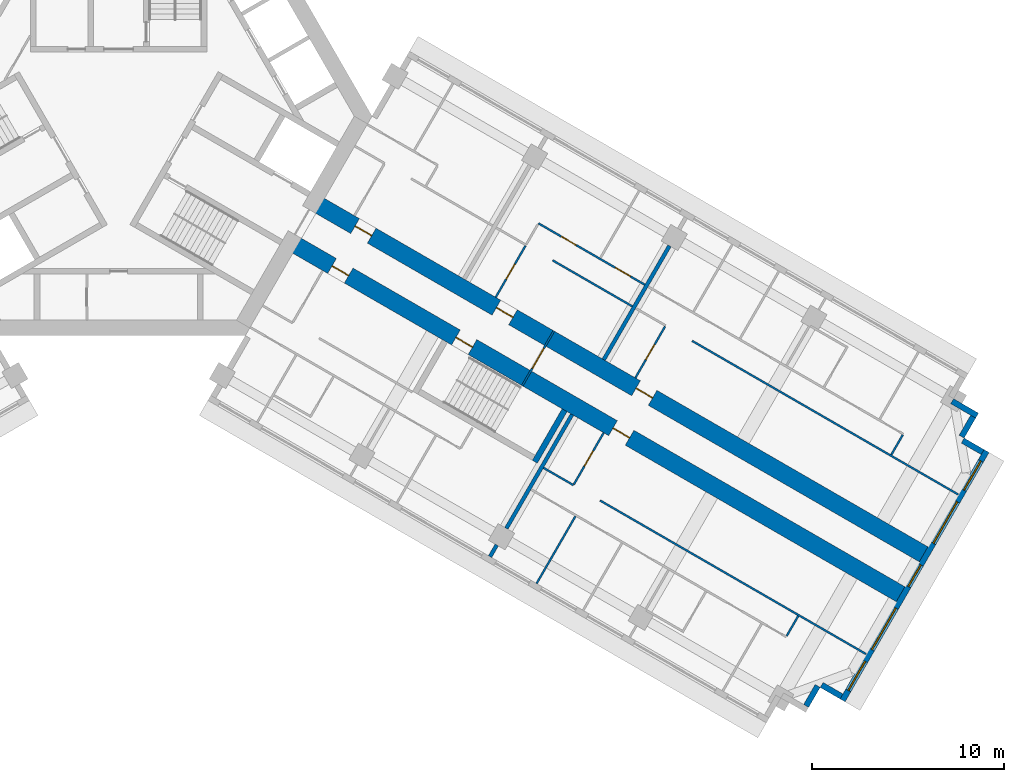
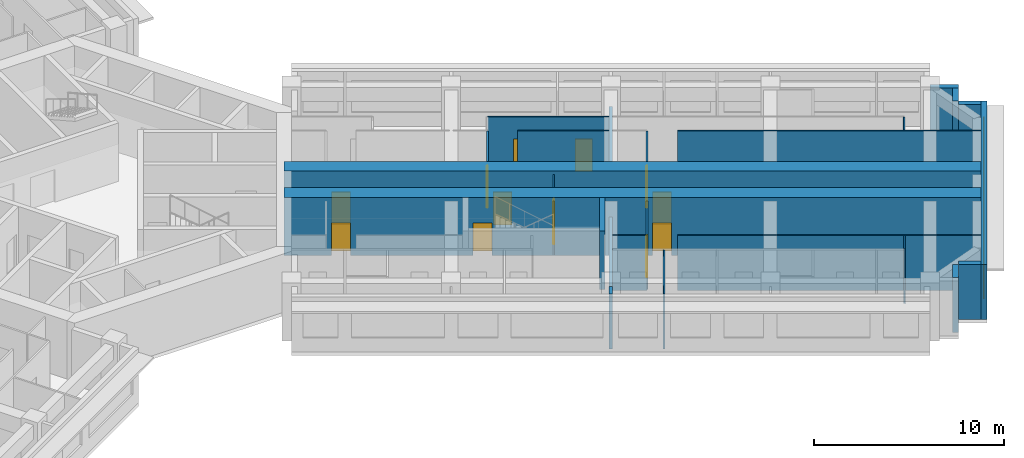
# One storey, part 11 of 14: 24 walls, 12 doors, 5 windows, 17 openings.
"""IFC4 building model written with IfcOpenShell, lengths in metres."""

import ifcopenshell
import ifcopenshell.guid

model = None  # the IFC model being written
_history = None  # IfcOwnerHistory: only IFC2X3 demands one
_inside = {}  # id of a spatial element -> (the spatial element, [elements in it])
_under = {}  # id of a project, library or spatial element -> (it, [spatial elements below it])
_declared = {}  # id of a project -> (the project, [libraries it declares])
_typed = {}  # id of a type object -> (the type object, [elements of that type])
_made_of = {}  # id of a material, layer set ... -> (it, [elements and type objects made of it])


def new_model(schema):
    """Start an empty IFC model of exactly this schema.

    Asked for "IFC4X3", IfcOpenShell would pick the latest addendum, in which some entities
    have other attributes; the version numbers below select the first issue.
    IFC2X3 requires an IfcOwnerHistory on every rooted entity: one is made here for all.
    """
    global model, _history
    if schema == "IFC4X3":
        model = ifcopenshell.file(schema_version=(4, 3, 0, 0))
    else:
        model = ifcopenshell.file(schema=schema)
    _inside.clear()
    _under.clear()
    _declared.clear()
    _typed.clear()
    _made_of.clear()
    _history = None
    if model.schema == "IFC2X3":
        org = make("IfcOrganization", Name="unknown")
        user = make(
            "IfcPersonAndOrganization",
            ThePerson=make("IfcPerson", FamilyName="unknown"),
            TheOrganization=org,
        )
        app = make(
            "IfcApplication",
            ApplicationDeveloper=org,
            Version="unknown",
            ApplicationFullName="unknown",
            ApplicationIdentifier="unknown",
        )
        _history = make(
            "IfcOwnerHistory",
            OwningUser=user,
            OwningApplication=app,
            ChangeAction="ADDED",
            CreationDate=0,
        )
    return model


def make(cls, **values):
    """One entity of the class cls with the attributes given. An attribute that is None is left unset."""
    return model.create_entity(
        cls, **{name: value for name, value in values.items() if value is not None}
    )


def rooted(cls, **values):
    """An entity with a GlobalId (a new one), such as an element, a storey or a relation."""
    return make(cls, GlobalId=ifcopenshell.guid.new(), OwnerHistory=_history, **values)


def si_unit(unit_type, name, prefix=None):
    """IfcSIUnit, for example si_unit("LENGTHUNIT", "METRE", prefix="MILLI")."""
    return make("IfcSIUnit", UnitType=unit_type, Prefix=prefix, Name=name)


def assignment(units):
    """IfcUnitAssignment: the units of a project."""
    return None if units is None else make("IfcUnitAssignment", Units=units)


def point(xyz):
    """IfcCartesianPoint."""
    return None if xyz is None else make("IfcCartesianPoint", Coordinates=xyz)


def direction(xyz):
    """IfcDirection."""
    return None if xyz is None else make("IfcDirection", DirectionRatios=xyz)


def frame(location, z_axis=None, x_axis=None):
    """IfcAxis2Placement3D, a coordinate frame: its origin and axes. An axis left out is left unset."""
    return make(
        "IfcAxis2Placement3D",
        Location=point(location),
        Axis=direction(z_axis),
        RefDirection=direction(x_axis),
    )


def frame_2d(location, x_axis=None):
    """IfcAxis2Placement2D, a coordinate frame in the plane: its origin and x axis."""
    return make(
        "IfcAxis2Placement2D", Location=point(location), RefDirection=direction(x_axis)
    )


def origin():
    """The frame at (0, 0, 0) with its axes left unset."""
    return frame((0.0, 0.0, 0.0))


def place(relative_to, where):
    """IfcLocalPlacement: puts the frame where relative to a parent placement (None: the world)."""
    return make(
        "IfcLocalPlacement", PlacementRelTo=relative_to, RelativePlacement=where
    )


def context(
    kind, dimensions, precision=None, world=None, true_north=None, identifier=None
):
    """IfcGeometricRepresentationContext, for example the 3D "Model" context."""
    return make(
        "IfcGeometricRepresentationContext",
        ContextIdentifier=identifier,
        ContextType=kind,
        CoordinateSpaceDimension=dimensions,
        Precision=precision,
        WorldCoordinateSystem=world,
        TrueNorth=true_north,
    )


def subcontext(parent, identifier, kind, view, scale=None):
    """IfcGeometricRepresentationSubContext, for example "Body" below "Model"."""
    return make(
        "IfcGeometricRepresentationSubContext",
        ContextIdentifier=identifier,
        ContextType=kind,
        ParentContext=parent,
        TargetScale=scale,
        TargetView=view,
    )


def project(units=None, contexts=None):
    """IfcProject with its units and contexts."""
    return rooted(
        "IfcProject",
        Name="project",
        RepresentationContexts=contexts,
        UnitsInContext=assignment(units),
    )


def spatial(cls, under=None, at=None, **own):
    """A site, building, storey or space (cls), placed at a placement, below another one or the project."""
    s = rooted(cls, ObjectPlacement=at, **own)
    if under is not None:
        _under.setdefault(under.id(), (under, []))[1].append(s)
    return s


def profile(cls, at=None, kind="AREA", **sizes):
    """A parametric profile (cls). Its sizes go by their IFC names, for example OverallWidth=200.0."""
    return make(cls, ProfileType=kind, Position=at, **sizes)


def rectangle(**sizes):
    """IfcRectangleProfileDef."""
    return profile("IfcRectangleProfileDef", **sizes)


def extrude(swept, where, along, depth):
    """IfcExtrudedAreaSolid: the profile swept, set in the frame where, extruded along a direction by depth."""
    return make(
        "IfcExtrudedAreaSolid",
        SweptArea=swept,
        Position=where,
        ExtrudedDirection=direction(along),
        Depth=depth,
    )


def shape(context_of_items, identifier, shape_type, items):
    """IfcShapeRepresentation: the items that make up one representation, for example the "Body"."""
    return make(
        "IfcShapeRepresentation",
        ContextOfItems=context_of_items,
        RepresentationIdentifier=identifier,
        RepresentationType=shape_type,
        Items=items,
    )


def material(Name=None, Category=None):
    """IfcMaterial."""
    return make("IfcMaterial", Name=Name, Category=Category)


def layer(
    of_material, thickness, ventilated=None, Name=None, Category=None, Priority=None
):
    """IfcMaterialLayer: one layer of a wall or slab, of a material (None: an air gap)."""
    return make(
        "IfcMaterialLayer",
        Material=of_material,
        LayerThickness=thickness,
        IsVentilated=ventilated,
        Name=Name,
        Category=Category,
        Priority=Priority,
    )


def layer_set(layers, Name=None):
    """IfcMaterialLayerSet."""
    return make("IfcMaterialLayerSet", MaterialLayers=layers, LayerSetName=Name)


def made_of(thing, what):
    """Note that an element or type object is made of a material, layer set ...; save() writes the relation."""
    if what is not None:
        _made_of.setdefault(what.id(), (what, []))[1].append(thing)
    return thing


def type_object(cls, material=None, **own):
    """A type object (cls), such as IfcWallType, which elements share."""
    return made_of(rooted(cls, **own), material)


def element(
    cls,
    number,
    at=None,
    inside=None,
    cuts=None,
    type_object=None,
    material=None,
    context=None,
    identifier="Body",
    shape_type=None,
    held_by="IfcProductDefinitionShape",
    body=None,
    shapes=None,
    **own,
):
    """One element of the class cls, such as IfcWall. Its Tag is "e" and its number.

    at: its placement. inside: the storey or other place that contains it. cuts: it is an
    opening in that element (IfcRelVoidsElement). A single representation is given by context,
    identifier, shape_type and body (its items); several are given by shapes. held_by: the class
    of the entity that holds the representations. save() writes the other relations.
    """
    e = rooted(cls, Tag="e%d" % number, ObjectPlacement=at, **own)
    if body is not None:
        shapes = [shape(context, identifier, shape_type, body)]
    if shapes is not None:
        e.Representation = make(held_by, Representations=shapes)
    if inside is not None:
        _inside.setdefault(inside.id(), (inside, []))[1].append(e)
    if cuts is not None:
        rooted(
            "IfcRelVoidsElement", RelatingBuildingElement=cuts, RelatedOpeningElement=e
        )
    if type_object is not None:
        _typed.setdefault(type_object.id(), (type_object, []))[1].append(e)
    return made_of(e, material)


def fill(opening, filler):
    """IfcRelFillsElement: the door or window that sits in an opening."""
    return rooted(
        "IfcRelFillsElement",
        RelatingOpeningElement=opening,
        RelatedBuildingElement=filler,
    )


def aggregate(whole, parts):
    """IfcRelAggregates: a whole, such as a stair, and the parts it consists of."""
    return rooted("IfcRelAggregates", RelatingObject=whole, RelatedObjects=parts)


def save(model, path):
    """Write the relations noted so far, then the file.

    IfcRelAggregates (storeys below a building ...), IfcRelContainedInSpatialStructure (elements
    in a storey), IfcRelDefinesByType, IfcRelAssociatesMaterial and IfcRelDeclares: one each for
    every whole, place, type object, material and project.
    """
    for whole, parts in _under.values():
        aggregate(whole, parts)
    for where, things in _inside.values():
        rooted(
            "IfcRelContainedInSpatialStructure",
            RelatedElements=things,
            RelatingStructure=where,
        )
    for kind, things in _typed.values():
        rooted("IfcRelDefinesByType", RelatedObjects=things, RelatingType=kind)
    for what, things in _made_of.values():
        rooted("IfcRelAssociatesMaterial", RelatedObjects=things, RelatingMaterial=what)
    for by, libraries in _declared.values():
        rooted("IfcRelDeclares", RelatingContext=by, RelatedDefinitions=libraries)
    model.write(path)


model = new_model("IFC4")

# Units and contexts
model_context = context("Model", 3, precision=1e-05, world=origin(), true_north=direction((0.0, 1.0)))
body_context = subcontext(model_context, "Body", "Model", "MODEL_VIEW")
ifc_project = project(units=[si_unit("LENGTHUNIT", "METRE"), si_unit("AREAUNIT", "SQUARE_METRE"), si_unit("VOLUMEUNIT", "CUBIC_METRE"), si_unit("PLANEANGLEUNIT", "RADIAN"), si_unit("MASSUNIT", "GRAM", prefix="KILO")], contexts=[model_context])

# Site, building, storey
site_placement = place(None, origin())
site = spatial("IfcSite", under=ifc_project, at=site_placement, CompositionType="ELEMENT")
building_placement = place(site_placement, origin())
building = spatial("IfcBuilding", under=site, at=building_placement, Name="Impinga Residences", CompositionType="ELEMENT")
storey_placement = place(building_placement, frame((0.0, 0.0, 124.75)))
storey = spatial("IfcBuildingStorey", under=building, at=storey_placement, Name="L30", CompositionType="ELEMENT", Elevation=124.75)

# Wall, openings, doors
ifc_material_1 = material(Name="Concrete C60/75", Category="concrete")
ifc_layer_1 = layer(ifc_material_1, 0.89990234375)
ifc_layer_set_1 = layer_set([ifc_layer_1], Name="Concrete C60/75")
wall_type_1 = type_object("IfcWallType", Name="BW2 corridor buttress wall, L24 to L44 900", PredefinedType="SHEAR", material=ifc_layer_set_1)
wall_1_placement = place(storey_placement, frame((10.153564453125, -4.4765625, 0.0), z_axis=(0.0, 0.0, 1.0), x_axis=(0.866027614434, -0.499996171023, 0.0)))
wall_1 = element("IfcWall", 1, at=wall_1_placement, inside=storey, type_object=wall_type_1, Name="Corridor wall BW2 EC L30", PredefinedType="SHEAR", context=body_context, shape_type="SweptSolid", body=[
    extrude(rectangle(XDim=36.699951171875, YDim=0.89990234375, at=frame_2d((18.35009765625, 0.0))), origin(), (0.0, 0.0, 1.0), 3.75),
])
opening_1_placement = place(wall_1_placement, frame((2.5, 0.0, 0.0)))
opening_1 = element("IfcOpeningElement", 2, at=opening_1_placement, cuts=wall_1, Name="Opening D1", PredefinedType="OPENING", context=body_context, shape_type="SweptSolid", body=[
    extrude(rectangle(XDim=1.0, YDim=2.10009765625, at=frame_2d((0.5, 1.050048828125))), frame((0.0, 0.4599609375, 0.0), z_axis=(0.0, -1.0, 0.0), x_axis=(1.0, 0.0, 0.0)), (0.0, 0.0, 1.0), 0.919921875),
])
opening_2_placement = place(wall_1_placement, frame((11.0, 0.0, 0.0)))
opening_2 = element("IfcOpeningElement", 3, at=opening_2_placement, cuts=wall_1, Name="Opening D1", PredefinedType="OPENING", context=body_context, shape_type="SweptSolid", body=[
    extrude(rectangle(XDim=1.0, YDim=2.10009765625, at=frame_2d((0.5, 1.050048828125))), frame((0.0, 0.4599609375, 0.0), z_axis=(0.0, -1.0, 0.0), x_axis=(1.0, 0.0, 0.0)), (0.0, 0.0, 1.0), 0.919921875),
])
opening_3_placement = place(wall_1_placement, frame((19.39990234375, 0.0, 0.0)))
opening_3 = element("IfcOpeningElement", 4, at=opening_3_placement, cuts=wall_1, Name="Opening D1", PredefinedType="OPENING", context=body_context, shape_type="SweptSolid", body=[
    extrude(rectangle(XDim=1.0, YDim=2.10009765625, at=frame_2d((0.5, 1.050048828125))), frame((0.0, 0.4599609375, 0.0), z_axis=(0.0, -1.0, 0.0), x_axis=(1.0, 0.0, 0.0)), (0.0, 0.0, 1.0), 0.919921875),
])
ifc_material_2 = material(Name="Timber door set", Category="wood")
door_type_1 = type_object("IfcDoorType", Name="D1 apartment entrance door 1000x2100", OperationType="SINGLE_SWING_LEFT", PredefinedType="DOOR", material=ifc_material_2)
door_1_placement = place(opening_1_placement, origin())
door_1 = element("IfcDoor", 5, at=door_1_placement, inside=storey, type_object=door_type_1, Name="Apartment L30-EA1 entrance", OperationType="SINGLE_SWING_LEFT", OverallHeight=2.10009765625, OverallWidth=1.0, PredefinedType="DOOR", context=body_context, shape_type="SweptSolid", body=[
    extrude(rectangle(XDim=1.0, YDim=2.10009765625, at=frame_2d((0.5, 1.050048828125))), frame((0.0, 0.02490234375, 0.0), z_axis=(0.0, -1.0, 0.0), x_axis=(1.0, 0.0, 0.0)), (0.0, 0.0, 1.0), 0.050048828125),
])
fill(opening_1, door_1)
door_2_placement = place(opening_2_placement, origin())
door_2 = element("IfcDoor", 6, at=door_2_placement, inside=storey, type_object=door_type_1, Name="Apartment L30-EA2 entrance", OperationType="SINGLE_SWING_LEFT", OverallHeight=2.10009765625, OverallWidth=1.0, PredefinedType="DOOR", context=body_context, shape_type="SweptSolid", body=[
    extrude(rectangle(XDim=1.0, YDim=2.10009765625, at=frame_2d((0.5, 1.050048828125))), frame((0.0, 0.02490234375, 0.0), z_axis=(0.0, -1.0, 0.0), x_axis=(1.0, 0.0, 0.0)), (0.0, 0.0, 1.0), 0.050048828125),
])
fill(opening_2, door_2)
door_3_placement = place(opening_3_placement, origin())
door_3 = element("IfcDoor", 7, at=door_3_placement, inside=storey, type_object=door_type_1, Name="Apartment L30-EA3 entrance", OperationType="SINGLE_SWING_RIGHT", OverallHeight=2.10009765625, OverallWidth=1.0, PredefinedType="DOOR", context=body_context, shape_type="SweptSolid", body=[
    extrude(rectangle(XDim=1.0, YDim=2.10009765625, at=frame_2d((0.5, 1.050048828125))), frame((0.0, 0.02490234375, 0.0), z_axis=(0.0, -1.0, 0.0), x_axis=(1.0, 0.0, 0.0)), (0.0, 0.0, 1.0), 0.050048828125),
])
fill(opening_3, door_3)

wall_2_placement = place(storey_placement, frame((8.95361328125, -6.554931640625, 0.0), z_axis=(0.0, 0.0, 1.0), x_axis=(0.866024733898, -0.500001160275, 0.0)))
wall_2 = element("IfcWall", 8, at=wall_2_placement, inside=storey, type_object=wall_type_1, Name="Corridor wall BW2 ED L30", PredefinedType="SHEAR", context=body_context, shape_type="SweptSolid", body=[
    extrude(rectangle(XDim=36.7001953125, YDim=0.89990234375, at=frame_2d((18.35009765625, 0.0))), origin(), (0.0, 0.0, 1.0), 3.75),
])
opening_4_placement = place(wall_2_placement, frame((9.949951171875, 0.0, 0.0)))
opening_4 = element("IfcOpeningElement", 9, at=opening_4_placement, cuts=wall_2, Name="Opening D5", PredefinedType="OPENING", context=body_context, shape_type="SweptSolid", body=[
    extrude(rectangle(XDim=1.0, YDim=2.10009765625, at=frame_2d((0.5, 1.050048828125))), frame((0.0, 0.4599609375, 0.0), z_axis=(0.0, -1.0, 0.0), x_axis=(1.0, 0.0, 0.0)), (0.0, 0.0, 1.0), 0.919921875),
])
opening_5_placement = place(wall_2_placement, frame((2.5, 0.0, 0.0)))
opening_5 = element("IfcOpeningElement", 10, at=opening_5_placement, cuts=wall_2, Name="Opening D1", PredefinedType="OPENING", context=body_context, shape_type="SweptSolid", body=[
    extrude(rectangle(XDim=1.0, YDim=2.10009765625, at=frame_2d((0.5, 1.050048828125))), frame((0.0, 0.4599609375, 0.0), z_axis=(0.0, -1.0, 0.0), x_axis=(1.0, 0.0, 0.0)), (0.0, 0.0, 1.0), 0.919921875),
])
opening_6_placement = place(wall_2_placement, frame((19.39990234375, 0.0, 0.0)))
opening_6 = element("IfcOpeningElement", 11, at=opening_6_placement, cuts=wall_2, Name="Opening D1", PredefinedType="OPENING", context=body_context, shape_type="SweptSolid", body=[
    extrude(rectangle(XDim=1.0, YDim=2.10009765625, at=frame_2d((0.5, 1.050048828125))), frame((0.0, 0.4599609375, 0.0), z_axis=(0.0, -1.0, 0.0), x_axis=(1.0, 0.0, 0.0)), (0.0, 0.0, 1.0), 0.919921875),
])
door_4_placement = place(opening_5_placement, origin())
door_4 = element("IfcDoor", 12, at=door_4_placement, inside=storey, type_object=door_type_1, Name="Apartment L30-EF1 entrance", OperationType="SINGLE_SWING_LEFT", OverallHeight=2.10009765625, OverallWidth=1.0, PredefinedType="DOOR", context=body_context, shape_type="SweptSolid", body=[
    extrude(rectangle(XDim=1.0, YDim=2.10009765625, at=frame_2d((0.5, 1.050048828125))), frame((0.0, 0.02490234375, 0.0), z_axis=(0.0, -1.0, 0.0), x_axis=(1.0, 0.0, 0.0)), (0.0, 0.0, 1.0), 0.050048828125),
])
fill(opening_5, door_4)
door_5_placement = place(opening_6_placement, origin())
door_5 = element("IfcDoor", 13, at=door_5_placement, inside=storey, type_object=door_type_1, Name="Apartment L30-EF2 entrance", OperationType="SINGLE_SWING_RIGHT", OverallHeight=2.10009765625, OverallWidth=1.0, PredefinedType="DOOR", context=body_context, shape_type="SweptSolid", body=[
    extrude(rectangle(XDim=1.0, YDim=2.10009765625, at=frame_2d((0.5, 1.050048828125))), frame((0.0, 0.02490234375, 0.0), z_axis=(0.0, -1.0, 0.0), x_axis=(1.0, 0.0, 0.0)), (0.0, 0.0, 1.0), 0.050048828125),
])
fill(opening_6, door_5)
door_type_2 = type_object("IfcDoorType", Name="D5 stair door 1000x2100", OperationType="SINGLE_SWING_LEFT", PredefinedType="DOOR", material=ifc_material_2)
door_6_placement = place(opening_4_placement, origin())
door_6 = element("IfcDoor", 14, at=door_6_placement, inside=storey, type_object=door_type_2, Name="Wing stair door E", OperationType="SINGLE_SWING_LEFT", OverallHeight=2.10009765625, OverallWidth=1.0, PredefinedType="DOOR", context=body_context, shape_type="SweptSolid", body=[
    extrude(rectangle(XDim=1.0, YDim=2.10009765625, at=frame_2d((0.5, 1.050048828125))), frame((0.0, 0.02490234375, 0.0), z_axis=(0.0, -1.0, 0.0), x_axis=(1.0, 0.0, 0.0)), (0.0, 0.0, 1.0), 0.050048828125),
])
fill(opening_4, door_6)

# Wall, opening, door
ifc_material_3 = material(Name="Concrete blockwork", Category="masonry")
ifc_layer_2 = layer(ifc_material_3, 0.10009765625)
ifc_layer_set_2 = layer_set([ifc_layer_2], Name="CP1 core room partition, blockwork 100")
wall_type_2 = type_object("IfcWallType", Name="CP1 core room partition, blockwork 100", PredefinedType="PARTITIONING", material=ifc_layer_set_2)
wall_3_placement = place(storey_placement, frame((22.67626953125, -11.186767578125, 0.0), z_axis=(0.0, 0.0, 1.0), x_axis=(-0.50002983664, -0.866008176907, 0.0)))
wall_3 = element("IfcWall", 15, at=wall_3_placement, inside=storey, type_object=wall_type_2, Name="Core room partition, blockwork L30:E:PLB", PredefinedType="PARTITIONING", context=body_context, shape_type="SweptSolid", body=[
    extrude(rectangle(XDim=3.300048828125, YDim=0.10009765625, at=frame_2d((1.64990234375, 0.0))), origin(), (0.0, 0.0, 1.0), 3.530029296875),
])
opening_7_placement = place(wall_3_placement, frame((1.050048828125, 0.0, 0.0)))
opening_7 = element("IfcOpeningElement", 16, at=opening_7_placement, cuts=wall_3, Name="Opening D3", PredefinedType="OPENING", context=body_context, shape_type="SweptSolid", body=[
    extrude(rectangle(XDim=1.199951171875, YDim=2.10009765625, at=frame_2d((0.60009765625, 1.050048828125))), frame((0.0, 0.06005859375, 0.0), z_axis=(0.0, -1.0, 0.0), x_axis=(1.0, 0.0, 0.0)), (0.0, 0.0, 1.0), 0.1201171875),
])
door_type_3 = type_object("IfcDoorType", Name="D3 room door, leaf and a half 1200x2100", OperationType="DOUBLE_SWING_LEFT", PredefinedType="DOOR", material=ifc_material_2)
door_7_placement = place(opening_7_placement, origin())
door_7 = element("IfcDoor", 17, at=door_7_placement, inside=storey, type_object=door_type_3, Name="Private lobby door E", OperationType="DOUBLE_SWING_LEFT", OverallHeight=2.10009765625, OverallWidth=1.199951171875, PredefinedType="DOOR", context=body_context, shape_type="SweptSolid", body=[
    extrude(rectangle(XDim=1.199951171875, YDim=2.10009765625, at=frame_2d((0.60009765625, 1.050048828125))), frame((0.0, 0.02490234375, 0.0), z_axis=(0.0, -1.0, 0.0), x_axis=(1.0, 0.0, 0.0)), (0.0, 0.0, 1.0), 0.050048828125),
])
fill(opening_7, door_7)

# Walls
ifc_material_4 = material(Name="Terracotta rainscreen on blockwork", Category="masonry")
ifc_layer_3 = layer(ifc_material_4, 0.300048828125)
ifc_layer_set_3 = layer_set([ifc_layer_3], Name="EW1 external wall, terracotta rainscreen on blockwork 300")
wall_type_3 = type_object("IfcWallType", Name="EW1 external wall, terracotta rainscreen on blockwork 300", PredefinedType="SOLIDWALL", material=ifc_layer_set_3)
wall_4_placement = place(storey_placement, frame((43.42333984375, -14.8515625, 0.0), z_axis=(0.0, 0.0, 1.0), x_axis=(0.866031096941, -0.499990139034, 0.0)))
element("IfcWall", 18, at=wall_4_placement, inside=storey, type_object=wall_type_3, Name="External wall EW1 L30", PredefinedType="SOLIDWALL", context=body_context, shape_type="SweptSolid", body=[
    extrude(rectangle(XDim=1.5, YDim=0.300048828125, at=frame_2d((0.75, 0.0))), origin(), (0.0, 0.0, 1.0), 3.530029296875),
])
wall_5_placement = place(storey_placement, frame((44.517578125, -15.65625, 0.0), z_axis=(0.0, 0.0, 1.0), x_axis=(-0.500033551112, -0.866006032174, 0.0)))
element("IfcWall", 19, at=wall_5_placement, inside=storey, type_object=wall_type_3, Name="External wall EW1 L30", PredefinedType="SOLIDWALL", context=body_context, shape_type="SweptSolid", body=[
    extrude(rectangle(XDim=1.2001953125, YDim=0.300048828125, at=frame_2d((0.60009765625, 0.0))), origin(), (0.0, 0.0, 1.0), 3.530029296875),
])
wall_6_placement = place(storey_placement, frame((43.976806640625, -16.903076171875, 0.0), z_axis=(0.0, 0.0, 1.0), x_axis=(0.866059708757, -0.499940577336, 0.0)))
element("IfcWall", 20, at=wall_6_placement, inside=storey, type_object=wall_type_3, Name="External wall EW1 L30", PredefinedType="SOLIDWALL", context=body_context, shape_type="SweptSolid", body=[
    extrude(rectangle(XDim=1.195068359375, YDim=0.300048828125, at=frame_2d((0.59765625, 0.0))), origin(), (0.0, 0.0, 1.0), 3.530029296875),
])

# Wall, openings, windows
wall_7_placement = place(storey_placement, frame((45.216552734375, -17.445556640625, 0.0), z_axis=(0.0, 0.0, 1.0), x_axis=(-0.499997186618, -0.866027028085, 0.0)))
wall_7 = element("IfcWall", 21, at=wall_7_placement, inside=storey, type_object=wall_type_3, Name="External wall EW1 L30", PredefinedType="SOLIDWALL", context=body_context, shape_type="SweptSolid", body=[
    extrude(rectangle(XDim=15.0, YDim=0.300048828125, at=frame_2d((7.5, 0.0))), origin(), (0.0, 0.0, 1.0), 3.530029296875),
])
opening_8_placement = place(wall_7_placement, frame((0.60009765625, 0.0, 0.89990234375)))
opening_8 = element("IfcOpeningElement", 22, at=opening_8_placement, cuts=wall_7, Name="Opening W1", PredefinedType="OPENING", context=body_context, shape_type="SweptSolid", body=[
    extrude(rectangle(XDim=1.75, YDim=2.050048828125, at=frame_2d((0.875, 1.02490234375))), frame((0.0, 0.159912109375, 0.0), z_axis=(0.0, -1.0, 0.0), x_axis=(1.0, 0.0, 0.0)), (0.0, 0.0, 1.0), 0.320068359375),
])
opening_9_placement = place(wall_7_placement, frame((3.050048828125, 0.0, 0.89990234375)))
opening_9 = element("IfcOpeningElement", 23, at=opening_9_placement, cuts=wall_7, Name="Opening W2", PredefinedType="OPENING", context=body_context, shape_type="SweptSolid", body=[
    extrude(rectangle(XDim=2.5, YDim=2.050048828125, at=frame_2d((1.25, 1.02490234375))), frame((0.0, 0.159912109375, 0.0), z_axis=(0.0, -1.0, 0.0), x_axis=(1.0, 0.0, 0.0)), (0.0, 0.0, 1.0), 0.320068359375),
])
opening_10_placement = place(wall_7_placement, frame((6.85009765625, 0.0, 0.89990234375)))
opening_10 = element("IfcOpeningElement", 24, at=opening_10_placement, cuts=wall_7, Name="Opening W17", PredefinedType="OPENING", context=body_context, shape_type="SweptSolid", body=[
    extrude(rectangle(XDim=1.300048828125, YDim=2.050048828125, at=frame_2d((0.64990234375, 1.02490234375))), frame((0.0, 0.159912109375, 0.0), z_axis=(0.0, -1.0, 0.0), x_axis=(1.0, 0.0, 0.0)), (0.0, 0.0, 1.0), 0.320068359375),
])
opening_11_placement = place(wall_7_placement, frame((9.449951171875, 0.0, 0.89990234375)))
opening_11 = element("IfcOpeningElement", 25, at=opening_11_placement, cuts=wall_7, Name="Opening W2", PredefinedType="OPENING", context=body_context, shape_type="SweptSolid", body=[
    extrude(rectangle(XDim=2.5, YDim=2.050048828125, at=frame_2d((1.25, 1.02490234375))), frame((0.0, 0.159912109375, 0.0), z_axis=(0.0, -1.0, 0.0), x_axis=(1.0, 0.0, 0.0)), (0.0, 0.0, 1.0), 0.320068359375),
])
opening_12_placement = place(wall_7_placement, frame((12.64990234375, 0.0, 0.89990234375)))
opening_12 = element("IfcOpeningElement", 26, at=opening_12_placement, cuts=wall_7, Name="Opening W1", PredefinedType="OPENING", context=body_context, shape_type="SweptSolid", body=[
    extrude(rectangle(XDim=1.75, YDim=2.050048828125, at=frame_2d((0.875, 1.02490234375))), frame((0.0, 0.159912109375, 0.0), z_axis=(0.0, -1.0, 0.0), x_axis=(1.0, 0.0, 0.0)), (0.0, 0.0, 1.0), 0.320068359375),
])
ifc_material_5 = material(Name="Aluminium window, clear double glazing", Category="aluminium")
window_type_1 = type_object("IfcWindowType", Name="W1 ribbon window 1750x2050", PartitioningType="SINGLE_PANEL", PredefinedType="WINDOW", material=ifc_material_5)
window_1_placement = place(opening_8_placement, origin())
window_1 = element("IfcWindow", 27, at=window_1_placement, inside=storey, type_object=window_type_1, Name="Window L30", OverallHeight=2.050048828125, OverallWidth=1.75, PartitioningType="SINGLE_PANEL", PredefinedType="WINDOW", context=body_context, shape_type="SweptSolid", body=[
    extrude(rectangle(XDim=1.75, YDim=2.050048828125, at=frame_2d((0.875, 1.02490234375))), frame((0.0, 0.030029296875, 0.0), z_axis=(0.0, -1.0, 0.0), x_axis=(1.0, 0.0, 0.0)), (0.0, 0.0, 1.0), 0.06005859375),
])
fill(opening_8, window_1)
window_2_placement = place(opening_12_placement, origin())
window_2 = element("IfcWindow", 28, at=window_2_placement, inside=storey, type_object=window_type_1, Name="Window L30", OverallHeight=2.050048828125, OverallWidth=1.75, PartitioningType="SINGLE_PANEL", PredefinedType="WINDOW", context=body_context, shape_type="SweptSolid", body=[
    extrude(rectangle(XDim=1.75, YDim=2.050048828125, at=frame_2d((0.875, 1.02490234375))), frame((0.0, 0.030029296875, 0.0), z_axis=(0.0, -1.0, 0.0), x_axis=(1.0, 0.0, 0.0)), (0.0, 0.0, 1.0), 0.06005859375),
])
fill(opening_12, window_2)
window_type_2 = type_object("IfcWindowType", Name="W17 ribbon window 1300x2050", PartitioningType="SINGLE_PANEL", PredefinedType="WINDOW", material=ifc_material_5)
window_3_placement = place(opening_10_placement, origin())
window_3 = element("IfcWindow", 29, at=window_3_placement, inside=storey, type_object=window_type_2, Name="Window L30", OverallHeight=2.050048828125, OverallWidth=1.300048828125, PartitioningType="SINGLE_PANEL", PredefinedType="WINDOW", context=body_context, shape_type="SweptSolid", body=[
    extrude(rectangle(XDim=1.300048828125, YDim=2.050048828125, at=frame_2d((0.64990234375, 1.02490234375))), frame((0.0, 0.030029296875, 0.0), z_axis=(0.0, -1.0, 0.0), x_axis=(1.0, 0.0, 0.0)), (0.0, 0.0, 1.0), 0.06005859375),
])
fill(opening_10, window_3)
window_type_3 = type_object("IfcWindowType", Name="W2 ribbon window 2500x2050", PartitioningType="SINGLE_PANEL", PredefinedType="WINDOW", material=ifc_material_5)
window_4_placement = place(opening_9_placement, origin())
window_4 = element("IfcWindow", 30, at=window_4_placement, inside=storey, type_object=window_type_3, Name="Window L30", OverallHeight=2.050048828125, OverallWidth=2.5, PartitioningType="SINGLE_PANEL", PredefinedType="WINDOW", context=body_context, shape_type="SweptSolid", body=[
    extrude(rectangle(XDim=2.5, YDim=2.050048828125, at=frame_2d((1.25, 1.02490234375))), frame((0.0, 0.030029296875, 0.0), z_axis=(0.0, -1.0, 0.0), x_axis=(1.0, 0.0, 0.0)), (0.0, 0.0, 1.0), 0.06005859375),
])
fill(opening_9, window_4)
window_5_placement = place(opening_11_placement, origin())
window_5 = element("IfcWindow", 31, at=window_5_placement, inside=storey, type_object=window_type_3, Name="Window L30", OverallHeight=2.050048828125, OverallWidth=2.5, PartitioningType="SINGLE_PANEL", PredefinedType="WINDOW", context=body_context, shape_type="SweptSolid", body=[
    extrude(rectangle(XDim=2.5, YDim=2.050048828125, at=frame_2d((1.25, 1.02490234375))), frame((0.0, 0.030029296875, 0.0), z_axis=(0.0, -1.0, 0.0), x_axis=(1.0, 0.0, 0.0)), (0.0, 0.0, 1.0), 0.06005859375),
])
fill(opening_11, window_5)

# Walls
wall_8_placement = place(storey_placement, frame((37.66162109375, -30.23095703125, 0.0), z_axis=(0.0, 0.0, 1.0), x_axis=(-0.866059708757, 0.499940577336, 0.0)))
element("IfcWall", 32, at=wall_8_placement, inside=storey, type_object=wall_type_3, Name="External wall EW1 L30", PredefinedType="SOLIDWALL", context=body_context, shape_type="SweptSolid", body=[
    extrude(rectangle(XDim=1.195068359375, YDim=0.300048828125, at=frame_2d((0.59765625, 0.0))), origin(), (0.0, 0.0, 1.0), 3.530029296875),
])
wall_9_placement = place(storey_placement, frame((36.41748046875, -29.68603515625, 0.0), z_axis=(0.0, 0.0, 1.0), x_axis=(-0.499969057507, -0.866043267704, 0.0)))
element("IfcWall", 33, at=wall_9_placement, inside=storey, type_object=wall_type_3, Name="External wall EW1 L30", PredefinedType="SOLIDWALL", context=body_context, shape_type="SweptSolid", body=[
    extrude(rectangle(XDim=1.19970703125, YDim=0.300048828125, at=frame_2d((0.599853515625, 0.0))), origin(), (0.0, 0.0, 1.0), 3.530029296875),
])
ifc_material_6 = material(Name="Gypsum board on steel studs", Category="steel")
ifc_layer_4 = layer(ifc_material_6, 0.10009765625)
ifc_layer_set_4 = layer_set([ifc_layer_4], Name="Gypsum board on steel studs")
wall_type_4 = type_object("IfcWallType", Name="IP1 partition 100", PredefinedType="PARTITIONING", material=ifc_layer_set_4)
wall_10_placement = place(storey_placement, frame((22.605712890625, -7.5087890625, 0.0), z_axis=(0.0, 0.0, 1.0), x_axis=(0.866015339567, -0.500017431331, 0.0)))
element("IfcWall", 34, at=wall_10_placement, inside=storey, type_object=wall_type_4, Name="Partition L30-EA2:DIV1", PredefinedType="PARTITIONING", context=body_context, shape_type="SweptSolid", body=[
    extrude(rectangle(XDim=4.800048828125, YDim=0.10009765625, at=frame_2d((2.39990234375, 0.0))), origin(), (0.0, 0.0, 1.0), 3.530029296875),
])

# Wall, openings, doors
wall_11_placement = place(storey_placement, frame((21.8701171875, -5.5830078125, 0.0), z_axis=(0.0, 0.0, 1.0), x_axis=(0.866025499775, -0.499999833739, 0.0)))
wall_11 = element("IfcWall", 35, at=wall_11_placement, inside=storey, type_object=wall_type_4, Name="Partition L30-EA2:STRIP", PredefinedType="PARTITIONING", context=body_context, shape_type="SweptSolid", body=[
    extrude(rectangle(XDim=6.39990234375, YDim=0.10009765625, at=frame_2d((3.199951171875, 0.0))), origin(), (0.0, 0.0, 1.0), 3.530029296875),
])
opening_13_placement = place(wall_11_placement, frame((1.375, 0.0, 0.0)))
opening_13 = element("IfcOpeningElement", 36, at=opening_13_placement, cuts=wall_11, Name="Opening D2", PredefinedType="OPENING", context=body_context, shape_type="SweptSolid", body=[
    extrude(rectangle(XDim=0.89990234375, YDim=2.10009765625, at=frame_2d((0.449951171875, 1.050048828125))), frame((0.0, 0.06005859375, 0.0), z_axis=(0.0, -1.0, 0.0), x_axis=(1.0, 0.0, 0.0)), (0.0, 0.0, 1.0), 0.1201171875),
])
opening_14_placement = place(wall_11_placement, frame((4.625, 0.0, 0.0)))
opening_14 = element("IfcOpeningElement", 37, at=opening_14_placement, cuts=wall_11, Name="Opening D2", PredefinedType="OPENING", context=body_context, shape_type="SweptSolid", body=[
    extrude(rectangle(XDim=0.89990234375, YDim=2.10009765625, at=frame_2d((0.449951171875, 1.050048828125))), frame((0.0, 0.06005859375, 0.0), z_axis=(0.0, -1.0, 0.0), x_axis=(1.0, 0.0, 0.0)), (0.0, 0.0, 1.0), 0.1201171875),
])
door_type_4 = type_object("IfcDoorType", Name="D2 internal door 900x2100", OperationType="SINGLE_SWING_LEFT", PredefinedType="DOOR", material=ifc_material_2)
door_8_placement = place(opening_13_placement, origin())
door_8 = element("IfcDoor", 38, at=door_8_placement, inside=storey, type_object=door_type_4, Name="Apartment L30-EA2 room door", OperationType="SINGLE_SWING_LEFT", OverallHeight=2.10009765625, OverallWidth=0.89990234375, PredefinedType="DOOR", context=body_context, shape_type="SweptSolid", body=[
    extrude(rectangle(XDim=0.89990234375, YDim=2.10009765625, at=frame_2d((0.449951171875, 1.050048828125))), frame((0.0, 0.02490234375, 0.0), z_axis=(0.0, -1.0, 0.0), x_axis=(1.0, 0.0, 0.0)), (0.0, 0.0, 1.0), 0.050048828125),
])
fill(opening_13, door_8)
door_9_placement = place(opening_14_placement, origin())
door_9 = element("IfcDoor", 39, at=door_9_placement, inside=storey, type_object=door_type_4, Name="Apartment L30-EA2 room door", OperationType="SINGLE_SWING_RIGHT", OverallHeight=2.10009765625, OverallWidth=0.89990234375, PredefinedType="DOOR", context=body_context, shape_type="SweptSolid", body=[
    extrude(rectangle(XDim=0.89990234375, YDim=2.10009765625, at=frame_2d((0.449951171875, 1.050048828125))), frame((0.0, 0.02490234375, 0.0), z_axis=(0.0, -1.0, 0.0), x_axis=(1.0, 0.0, 0.0)), (0.0, 0.0, 1.0), 0.050048828125),
])
fill(opening_14, door_9)

# Wall, opening, door
wall_12_placement = place(storey_placement, frame((19.64501953125, -9.436767578125, 0.0), z_axis=(0.0, 0.0, 1.0), x_axis=(0.500026960575, 0.86600983753, 0.0)))
wall_12 = element("IfcWall", 40, at=wall_12_placement, inside=storey, type_object=wall_type_4, Name="Partition L30-EA2:IB1", PredefinedType="PARTITIONING", context=body_context, shape_type="SweptSolid", body=[
    extrude(rectangle(XDim=3.099853515625, YDim=0.10009765625, at=frame_2d((1.5498046875, 0.0))), origin(), (0.0, 0.0, 1.0), 3.530029296875),
])
opening_15_placement = place(wall_12_placement, frame((1.10009765625, 0.0, 0.0)))
opening_15 = element("IfcOpeningElement", 41, at=opening_15_placement, cuts=wall_12, Name="Opening D2", PredefinedType="OPENING", context=body_context, shape_type="SweptSolid", body=[
    extrude(rectangle(XDim=0.89990234375, YDim=2.10009765625, at=frame_2d((0.449951171875, 1.050048828125))), frame((0.0, 0.06005859375, 0.0), z_axis=(0.0, -1.0, 0.0), x_axis=(1.0, 0.0, 0.0)), (0.0, 0.0, 1.0), 0.1201171875),
])
door_10_placement = place(opening_15_placement, origin())
door_10 = element("IfcDoor", 42, at=door_10_placement, inside=storey, type_object=door_type_4, Name="Apartment L30-EA2 bathroom door", OperationType="SINGLE_SWING_LEFT", OverallHeight=2.10009765625, OverallWidth=0.89990234375, PredefinedType="DOOR", context=body_context, shape_type="SweptSolid", body=[
    extrude(rectangle(XDim=0.89990234375, YDim=2.10009765625, at=frame_2d((0.449951171875, 1.050048828125))), frame((0.0, 0.02490234375, 0.0), z_axis=(0.0, -1.0, 0.0), x_axis=(1.0, 0.0, 0.0)), (0.0, 0.0, 1.0), 0.050048828125),
])
fill(opening_15, door_10)

# Walls
wall_13_placement = place(storey_placement, frame((29.88037109375, -11.708740234375, 0.0), z_axis=(0.0, 0.0, 1.0), x_axis=(0.866026010844, -0.49999894854, 0.0)))
element("IfcWall", 43, at=wall_13_placement, inside=storey, type_object=wall_type_4, Name="Partition L30-EA3:DIV1", PredefinedType="PARTITIONING", context=body_context, shape_type="SweptSolid", body=[
    extrude(rectangle(XDim=16.0, YDim=0.10009765625, at=frame_2d((8.0, 0.0))), origin(), (0.0, 0.0, 1.0), 3.530029296875),
])
wall_14_placement = place(storey_placement, frame((40.25439453125, -17.640625, 0.0), z_axis=(0.0, 0.0, 1.0), x_axis=(0.499880961361, 0.866094119867, 0.0)))
element("IfcWall", 44, at=wall_14_placement, inside=storey, type_object=wall_type_4, Name="Partition L30-EA3:SE1", PredefinedType="PARTITIONING", context=body_context, shape_type="SweptSolid", body=[
    extrude(rectangle(XDim=1.199951171875, YDim=0.10009765625, at=frame_2d((0.60009765625, 0.0))), origin(), (0.0, 0.0, 1.0), 3.530029296875),
])

# Wall, opening, door
wall_15_placement = place(storey_placement, frame((26.919677734375, -13.63671875, 0.0), z_axis=(0.0, 0.0, 1.0), x_axis=(0.500026960575, 0.86600983753, 0.0)))
wall_15 = element("IfcWall", 45, at=wall_15_placement, inside=storey, type_object=wall_type_4, Name="Partition L30-EA3:IB1", PredefinedType="PARTITIONING", context=body_context, shape_type="SweptSolid", body=[
    extrude(rectangle(XDim=3.099853515625, YDim=0.10009765625, at=frame_2d((1.5498046875, 0.0))), origin(), (0.0, 0.0, 1.0), 3.530029296875),
])
opening_16_placement = place(wall_15_placement, frame((1.10009765625, 0.0, 0.0)))
opening_16 = element("IfcOpeningElement", 46, at=opening_16_placement, cuts=wall_15, Name="Opening D2", PredefinedType="OPENING", context=body_context, shape_type="SweptSolid", body=[
    extrude(rectangle(XDim=0.89990234375, YDim=2.10009765625, at=frame_2d((0.449951171875, 1.050048828125))), frame((0.0, 0.06005859375, 0.0), z_axis=(0.0, -1.0, 0.0), x_axis=(1.0, 0.0, 0.0)), (0.0, 0.0, 1.0), 0.1201171875),
])
door_11_placement = place(opening_16_placement, origin())
door_11 = element("IfcDoor", 47, at=door_11_placement, inside=storey, type_object=door_type_4, Name="Apartment L30-EA3 bathroom door", OperationType="SINGLE_SWING_LEFT", OverallHeight=2.10009765625, OverallWidth=0.89990234375, PredefinedType="DOOR", context=body_context, shape_type="SweptSolid", body=[
    extrude(rectangle(XDim=0.89990234375, YDim=2.10009765625, at=frame_2d((0.449951171875, 1.050048828125))), frame((0.0, 0.02490234375, 0.0), z_axis=(0.0, -1.0, 0.0), x_axis=(1.0, 0.0, 0.0)), (0.0, 0.0, 1.0), 0.050048828125),
])
fill(opening_16, door_11)

# Walls
wall_16_placement = place(storey_placement, frame((22.1357421875, -18.32275390625, 0.0), z_axis=(0.0, 0.0, 1.0), x_axis=(0.866047807691, -0.499961193289, 0.0)))
element("IfcWall", 48, at=wall_16_placement, inside=storey, type_object=wall_type_4, Name="Partition L30-EF2:DIV0", PredefinedType="PARTITIONING", context=body_context, shape_type="SweptSolid", body=[
    extrude(rectangle(XDim=1.800048828125, YDim=0.10009765625, at=frame_2d((0.89990234375, 0.0))), origin(), (0.0, 0.0, 1.0), 3.530029296875),
])
wall_17_placement = place(storey_placement, frame((25.080322265625, -20.022705078125, 0.0), z_axis=(0.0, 0.0, 1.0), x_axis=(0.866026010844, -0.49999894854, 0.0)))
element("IfcWall", 49, at=wall_17_placement, inside=storey, type_object=wall_type_4, Name="Partition L30-EF2:DIV1", PredefinedType="PARTITIONING", context=body_context, shape_type="SweptSolid", body=[
    extrude(rectangle(XDim=16.0, YDim=0.10009765625, at=frame_2d((8.0, 0.0))), origin(), (0.0, 0.0, 1.0), 3.530029296875),
])
wall_18_placement = place(storey_placement, frame((35.404296875, -26.041015625, 0.0), z_axis=(0.0, 0.0, 1.0), x_axis=(-0.500033551112, -0.866006032174, 0.0)))
element("IfcWall", 50, at=wall_18_placement, inside=storey, type_object=wall_type_4, Name="Partition L30-EF2:SE1", PredefinedType="PARTITIONING", context=body_context, shape_type="SweptSolid", body=[
    extrude(rectangle(XDim=1.2001953125, YDim=0.10009765625, at=frame_2d((0.60009765625, 0.0))), origin(), (0.0, 0.0, 1.0), 3.530029296875),
])

# Wall, opening, door
wall_19_placement = place(storey_placement, frame((25.269775390625, -16.49462890625, 0.0), z_axis=(0.0, 0.0, 1.0), x_axis=(-0.49999285859, -0.86602952684, 0.0)))
wall_19 = element("IfcWall", 51, at=wall_19_placement, inside=storey, type_object=wall_type_4, Name="Partition L30-EF2:IB1", PredefinedType="PARTITIONING", context=body_context, shape_type="SweptSolid", body=[
    extrude(rectangle(XDim=3.10009765625, YDim=0.10009765625, at=frame_2d((1.550048828125, 0.0))), origin(), (0.0, 0.0, 1.0), 3.530029296875),
])
opening_17_placement = place(wall_19_placement, frame((1.10009765625, 0.0, 0.0)))
opening_17 = element("IfcOpeningElement", 52, at=opening_17_placement, cuts=wall_19, Name="Opening D2", PredefinedType="OPENING", context=body_context, shape_type="SweptSolid", body=[
    extrude(rectangle(XDim=0.89990234375, YDim=2.10009765625, at=frame_2d((0.449951171875, 1.050048828125))), frame((0.0, 0.06005859375, 0.0), z_axis=(0.0, -1.0, 0.0), x_axis=(1.0, 0.0, 0.0)), (0.0, 0.0, 1.0), 0.1201171875),
])
door_12_placement = place(opening_17_placement, origin())
door_12 = element("IfcDoor", 53, at=door_12_placement, inside=storey, type_object=door_type_4, Name="Apartment L30-EF2 bathroom door", OperationType="SINGLE_SWING_LEFT", OverallHeight=2.10009765625, OverallWidth=0.89990234375, PredefinedType="DOOR", context=body_context, shape_type="SweptSolid", body=[
    extrude(rectangle(XDim=0.89990234375, YDim=2.10009765625, at=frame_2d((0.449951171875, 1.050048828125))), frame((0.0, 0.02490234375, 0.0), z_axis=(0.0, -1.0, 0.0), x_axis=(1.0, 0.0, 0.0)), (0.0, 0.0, 1.0), 0.050048828125),
])
fill(opening_17, door_12)

# Walls
wall_20_placement = place(storey_placement, frame((23.799072265625, -20.841796875, 0.0), z_axis=(0.0, 0.0, 1.0), x_axis=(-0.499990325971, -0.866030989016, 0.0)))
element("IfcWall", 54, at=wall_20_placement, inside=storey, type_object=wall_type_4, Name="Partition L30-EF2:OB1", PredefinedType="PARTITIONING", context=body_context, shape_type="SweptSolid", body=[
    extrude(rectangle(XDim=4.0498046875, YDim=0.10009765625, at=frame_2d((2.02490234375, 0.0))), origin(), (0.0, 0.0, 1.0), 3.530029296875),
])
ifc_layer_5 = layer(ifc_material_3, 0.199951171875)
ifc_layer_set_5 = layer_set([ifc_layer_5], Name="PW1 party wall between apartments 200")
wall_type_5 = type_object("IfcWallType", Name="PW1 party wall between apartments 200", PredefinedType="SOLIDWALL", material=ifc_layer_set_5)
wall_21_placement = place(storey_placement, frame((25.274169921875, -12.686767578125, 0.0), z_axis=(0.0, 0.0, 1.0), x_axis=(0.500014519185, 0.866017020967, 0.0)))
element("IfcWall", 55, at=wall_21_placement, inside=storey, type_object=wall_type_5, Name="Party wall between apartments L30-EA2:PARTY", PredefinedType="SOLIDWALL", context=body_context, shape_type="SweptSolid", body=[
    extrude(rectangle(XDim=6.849853515625, YDim=0.199951171875, at=frame_2d((3.4248046875, 0.0))), origin(), (0.0, 0.0, 1.0), 2.47998046875),
])
wall_22_placement = place(storey_placement, frame((23.624267578125, -15.544677734375, 0.0), z_axis=(0.0, 0.0, 1.0), x_axis=(-0.499999086063, -0.866025931445, 0.0)))
element("IfcWall", 56, at=wall_22_placement, inside=storey, type_object=wall_type_5, Name="Party wall between apartments L30-EF1:PARTY", PredefinedType="SOLIDWALL", context=body_context, shape_type="SweptSolid", body=[
    extrude(rectangle(XDim=6.85009765625, YDim=0.199951171875, at=frame_2d((3.425048828125, 0.0))), origin(), (0.0, 0.0, 1.0), 2.47998046875),
])
wall_23_placement = place(storey_placement, frame((19.69921875, -22.343017578125, 0.0), z_axis=(0.0, 0.0, 1.0), x_axis=(-0.500114896893, -0.865959057869, 0.0)))
element("IfcWall", 57, at=wall_23_placement, inside=storey, type_object=wall_type_5, Name="Party wall between apartments L30-EF1:PARTYb", PredefinedType="SOLIDWALL", context=body_context, shape_type="SweptSolid", body=[
    extrude(rectangle(XDim=0.699951171875, YDim=0.199951171875, at=frame_2d((0.35009765625, 0.0))), origin(), (0.0, 0.0, 1.0), 3.530029296875),
])
ifc_layer_6 = layer(ifc_material_1, 0.300048828125)
ifc_layer_set_6 = layer_set([ifc_layer_6], Name="Concrete C60/75")
wall_type_6 = type_object("IfcWallType", Name="SE1 wing stair enclosure wall 300", PredefinedType="SOLIDWALL", material=ifc_layer_set_6)
wall_24_placement = place(storey_placement, frame((23.234619140625, -15.31982421875, 0.0), z_axis=(0.0, 0.0, 1.0), x_axis=(-0.500026960575, -0.86600983753, 0.0)))
element("IfcWall", 58, at=wall_24_placement, inside=storey, type_object=wall_type_6, Name="Stair enclosure wall SE1 E END1 L30", PredefinedType="SOLIDWALL", context=body_context, shape_type="SweptSolid", body=[
    extrude(rectangle(XDim=3.099853515625, YDim=0.300048828125, at=frame_2d((1.5498046875, 0.0))), origin(), (0.0, 0.0, 1.0), 3.75),
])

save(model, "model.ifc")
